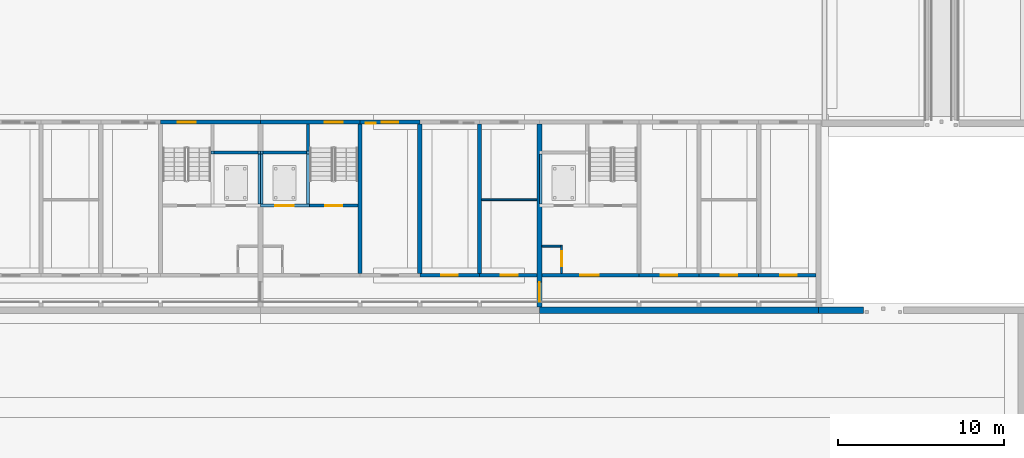
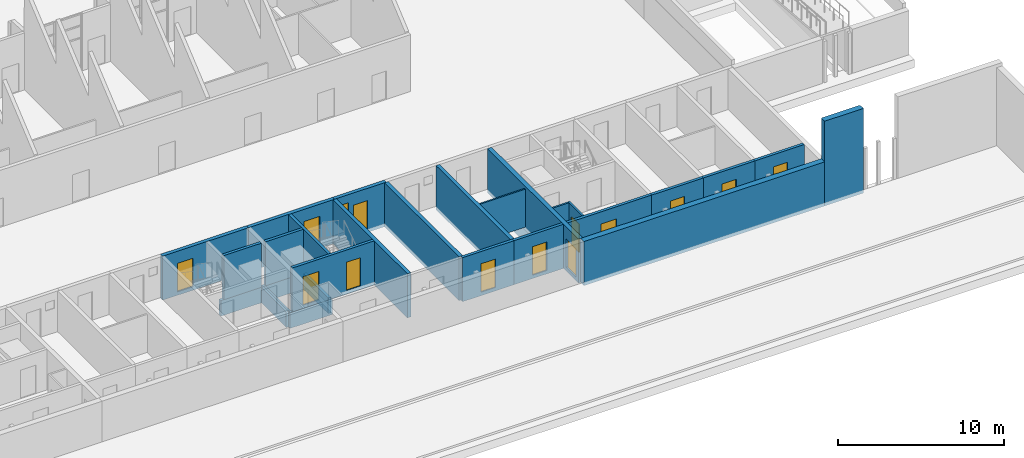
# One storey, part 60 of 112: 29 walls, 13 doors, 1 window, 14 openings.
"""IFC4 building model written with IfcOpenShell, lengths in metres."""

import ifcopenshell
import ifcopenshell.guid

model = None  # the IFC model being written
_history = None  # IfcOwnerHistory: only IFC2X3 demands one
_inside = {}  # id of a spatial element -> (the spatial element, [elements in it])
_under = {}  # id of a project, library or spatial element -> (it, [spatial elements below it])
_declared = {}  # id of a project -> (the project, [libraries it declares])
_typed = {}  # id of a type object -> (the type object, [elements of that type])
_made_of = {}  # id of a material, layer set ... -> (it, [elements and type objects made of it])


def new_model(schema):
    """Start an empty IFC model of exactly this schema.

    Asked for "IFC4X3", IfcOpenShell would pick the latest addendum, in which some entities
    have other attributes; the version numbers below select the first issue.
    IFC2X3 requires an IfcOwnerHistory on every rooted entity: one is made here for all.
    """
    global model, _history
    if schema == "IFC4X3":
        model = ifcopenshell.file(schema_version=(4, 3, 0, 0))
    else:
        model = ifcopenshell.file(schema=schema)
    _inside.clear()
    _under.clear()
    _declared.clear()
    _typed.clear()
    _made_of.clear()
    _history = None
    if model.schema == "IFC2X3":
        org = make("IfcOrganization", Name="unknown")
        user = make(
            "IfcPersonAndOrganization",
            ThePerson=make("IfcPerson", FamilyName="unknown"),
            TheOrganization=org,
        )
        app = make(
            "IfcApplication",
            ApplicationDeveloper=org,
            Version="unknown",
            ApplicationFullName="unknown",
            ApplicationIdentifier="unknown",
        )
        _history = make(
            "IfcOwnerHistory",
            OwningUser=user,
            OwningApplication=app,
            ChangeAction="ADDED",
            CreationDate=0,
        )
    return model


def make(cls, **values):
    """One entity of the class cls with the attributes given. An attribute that is None is left unset."""
    return model.create_entity(
        cls, **{name: value for name, value in values.items() if value is not None}
    )


def rooted(cls, **values):
    """An entity with a GlobalId (a new one), such as an element, a storey or a relation."""
    return make(cls, GlobalId=ifcopenshell.guid.new(), OwnerHistory=_history, **values)


def si_unit(unit_type, name, prefix=None):
    """IfcSIUnit, for example si_unit("LENGTHUNIT", "METRE", prefix="MILLI")."""
    return make("IfcSIUnit", UnitType=unit_type, Prefix=prefix, Name=name)


def assignment(units):
    """IfcUnitAssignment: the units of a project."""
    return None if units is None else make("IfcUnitAssignment", Units=units)


def point(xyz):
    """IfcCartesianPoint."""
    return None if xyz is None else make("IfcCartesianPoint", Coordinates=xyz)


def direction(xyz):
    """IfcDirection."""
    return None if xyz is None else make("IfcDirection", DirectionRatios=xyz)


def frame(location, z_axis=None, x_axis=None):
    """IfcAxis2Placement3D, a coordinate frame: its origin and axes. An axis left out is left unset."""
    return make(
        "IfcAxis2Placement3D",
        Location=point(location),
        Axis=direction(z_axis),
        RefDirection=direction(x_axis),
    )


def frame_2d(location, x_axis=None):
    """IfcAxis2Placement2D, a coordinate frame in the plane: its origin and x axis."""
    return make(
        "IfcAxis2Placement2D", Location=point(location), RefDirection=direction(x_axis)
    )


def origin():
    """The frame at (0, 0, 0) with its axes left unset."""
    return frame((0.0, 0.0, 0.0))


def place(relative_to, where):
    """IfcLocalPlacement: puts the frame where relative to a parent placement (None: the world)."""
    return make(
        "IfcLocalPlacement", PlacementRelTo=relative_to, RelativePlacement=where
    )


def context(
    kind, dimensions, precision=None, world=None, true_north=None, identifier=None
):
    """IfcGeometricRepresentationContext, for example the 3D "Model" context."""
    return make(
        "IfcGeometricRepresentationContext",
        ContextIdentifier=identifier,
        ContextType=kind,
        CoordinateSpaceDimension=dimensions,
        Precision=precision,
        WorldCoordinateSystem=world,
        TrueNorth=true_north,
    )


def subcontext(parent, identifier, kind, view, scale=None):
    """IfcGeometricRepresentationSubContext, for example "Body" below "Model"."""
    return make(
        "IfcGeometricRepresentationSubContext",
        ContextIdentifier=identifier,
        ContextType=kind,
        ParentContext=parent,
        TargetScale=scale,
        TargetView=view,
    )


def project(units=None, contexts=None):
    """IfcProject with its units and contexts."""
    return rooted(
        "IfcProject",
        Name="project",
        RepresentationContexts=contexts,
        UnitsInContext=assignment(units),
    )


def spatial(cls, under=None, at=None, **own):
    """A site, building, storey or space (cls), placed at a placement, below another one or the project."""
    s = rooted(cls, ObjectPlacement=at, **own)
    if under is not None:
        _under.setdefault(under.id(), (under, []))[1].append(s)
    return s


def profile(cls, at=None, kind="AREA", **sizes):
    """A parametric profile (cls). Its sizes go by their IFC names, for example OverallWidth=200.0."""
    return make(cls, ProfileType=kind, Position=at, **sizes)


def rectangle(**sizes):
    """IfcRectangleProfileDef."""
    return profile("IfcRectangleProfileDef", **sizes)


def extrude(swept, where, along, depth):
    """IfcExtrudedAreaSolid: the profile swept, set in the frame where, extruded along a direction by depth."""
    return make(
        "IfcExtrudedAreaSolid",
        SweptArea=swept,
        Position=where,
        ExtrudedDirection=direction(along),
        Depth=depth,
    )


def shape(context_of_items, identifier, shape_type, items):
    """IfcShapeRepresentation: the items that make up one representation, for example the "Body"."""
    return make(
        "IfcShapeRepresentation",
        ContextOfItems=context_of_items,
        RepresentationIdentifier=identifier,
        RepresentationType=shape_type,
        Items=items,
    )


def material(Name=None, Category=None):
    """IfcMaterial."""
    return make("IfcMaterial", Name=Name, Category=Category)


def layer(
    of_material, thickness, ventilated=None, Name=None, Category=None, Priority=None
):
    """IfcMaterialLayer: one layer of a wall or slab, of a material (None: an air gap)."""
    return make(
        "IfcMaterialLayer",
        Material=of_material,
        LayerThickness=thickness,
        IsVentilated=ventilated,
        Name=Name,
        Category=Category,
        Priority=Priority,
    )


def layer_set(layers, Name=None):
    """IfcMaterialLayerSet."""
    return make("IfcMaterialLayerSet", MaterialLayers=layers, LayerSetName=Name)


def made_of(thing, what):
    """Note that an element or type object is made of a material, layer set ...; save() writes the relation."""
    if what is not None:
        _made_of.setdefault(what.id(), (what, []))[1].append(thing)
    return thing


def type_object(cls, material=None, **own):
    """A type object (cls), such as IfcWallType, which elements share."""
    return made_of(rooted(cls, **own), material)


def element(
    cls,
    number,
    at=None,
    inside=None,
    cuts=None,
    type_object=None,
    material=None,
    context=None,
    identifier="Body",
    shape_type=None,
    held_by="IfcProductDefinitionShape",
    body=None,
    shapes=None,
    **own,
):
    """One element of the class cls, such as IfcWall. Its Tag is "e" and its number.

    at: its placement. inside: the storey or other place that contains it. cuts: it is an
    opening in that element (IfcRelVoidsElement). A single representation is given by context,
    identifier, shape_type and body (its items); several are given by shapes. held_by: the class
    of the entity that holds the representations. save() writes the other relations.
    """
    e = rooted(cls, Tag="e%d" % number, ObjectPlacement=at, **own)
    if body is not None:
        shapes = [shape(context, identifier, shape_type, body)]
    if shapes is not None:
        e.Representation = make(held_by, Representations=shapes)
    if inside is not None:
        _inside.setdefault(inside.id(), (inside, []))[1].append(e)
    if cuts is not None:
        rooted(
            "IfcRelVoidsElement", RelatingBuildingElement=cuts, RelatedOpeningElement=e
        )
    if type_object is not None:
        _typed.setdefault(type_object.id(), (type_object, []))[1].append(e)
    return made_of(e, material)


def fill(opening, filler):
    """IfcRelFillsElement: the door or window that sits in an opening."""
    return rooted(
        "IfcRelFillsElement",
        RelatingOpeningElement=opening,
        RelatedBuildingElement=filler,
    )


def aggregate(whole, parts):
    """IfcRelAggregates: a whole, such as a stair, and the parts it consists of."""
    return rooted("IfcRelAggregates", RelatingObject=whole, RelatedObjects=parts)


def save(model, path):
    """Write the relations noted so far, then the file.

    IfcRelAggregates (storeys below a building ...), IfcRelContainedInSpatialStructure (elements
    in a storey), IfcRelDefinesByType, IfcRelAssociatesMaterial and IfcRelDeclares: one each for
    every whole, place, type object, material and project.
    """
    for whole, parts in _under.values():
        aggregate(whole, parts)
    for where, things in _inside.values():
        rooted(
            "IfcRelContainedInSpatialStructure",
            RelatedElements=things,
            RelatingStructure=where,
        )
    for kind, things in _typed.values():
        rooted("IfcRelDefinesByType", RelatedObjects=things, RelatingType=kind)
    for what, things in _made_of.values():
        rooted("IfcRelAssociatesMaterial", RelatedObjects=things, RelatingMaterial=what)
    for by, libraries in _declared.values():
        rooted("IfcRelDeclares", RelatingContext=by, RelatedDefinitions=libraries)
    model.write(path)


model = new_model("IFC4")

# Units and contexts
model_context = context("Model", 3, precision=1e-05, world=origin(), true_north=direction((0.0, 1.0)))
body_context = subcontext(model_context, "Body", "Model", "MODEL_VIEW")
ifc_project = project(units=[si_unit("LENGTHUNIT", "METRE"), si_unit("AREAUNIT", "SQUARE_METRE"), si_unit("VOLUMEUNIT", "CUBIC_METRE"), si_unit("PLANEANGLEUNIT", "RADIAN"), si_unit("MASSUNIT", "GRAM", prefix="KILO")], contexts=[model_context])

# Site, building, storey
site_placement = place(None, origin())
site = spatial("IfcSite", under=ifc_project, at=site_placement, CompositionType="ELEMENT")
building_placement = place(site_placement, origin())
building = spatial("IfcBuilding", under=site, at=building_placement, Name="Ridgestep Commons", CompositionType="ELEMENT")
storey_placement = place(building_placement, origin())
storey = spatial("IfcBuildingStorey", under=building, at=storey_placement, Name="L00", CompositionType="ELEMENT", Elevation=0.0)

# Walls
ifc_material_1 = material(Name="Concrete C30/37", Category="concrete")
ifc_layer_1 = layer(ifc_material_1, 0.39990234375)
ifc_layer_set_1 = layer_set([ifc_layer_1], Name="Community retaining wall 400")
wall_type_1 = type_object("IfcWallType", Name="Community retaining wall 400", PredefinedType="SOLIDWALL", material=ifc_layer_set_1)
wall_1_placement = place(storey_placement, frame((247.60009765625, 11.550048828125, -0.25), z_axis=(0.0, 0.0, 1.0), x_axis=(1.0, 0.0, 0.0)))
element("IfcWall", 1, at=wall_1_placement, inside=storey, type_object=wall_type_1, Name="Community retaining wall 400", PredefinedType="SOLIDWALL", context=body_context, shape_type="SweptSolid", body=[
    extrude(rectangle(XDim=2.699951171875, YDim=0.39990234375, at=frame_2d((1.35009765625, 0.0))), origin(), (0.0, 0.0, 1.0), 6.25),
])
ifc_material_2 = material(Name="Concrete C30/37", Category="concrete")
ifc_layer_2 = layer(ifc_material_2, 0.25)
ifc_layer_set_2 = layer_set([ifc_layer_2], Name="Core cross wall 250")
wall_type_2 = type_object("IfcWallType", Name="Core cross wall 250", PredefinedType="SHEAR", material=ifc_layer_set_2)
wall_2_placement = place(storey_placement, frame((220.0, 13.75, -0.25), z_axis=(0.0, 0.0, 1.0), x_axis=(0.0, 1.0, 0.0)))
element("IfcWall", 2, at=wall_2_placement, inside=storey, type_object=wall_type_2, Name="Cross wall D-00-2200", PredefinedType="SHEAR", context=body_context, shape_type="SweptSolid", body=[
    extrude(rectangle(XDim=9.0, YDim=0.25, at=frame_2d((4.5, 0.0))), origin(), (0.0, 0.0, 1.0), 3.25),
])

# Wall, opening, door
ifc_material_3 = material(Name="Concrete C30/37", Category="concrete")
ifc_layer_3 = layer(ifc_material_3, 0.199951171875)
ifc_layer_set_3 = layer_set([ifc_layer_3], Name="Core south wall 200")
wall_type_3 = type_object("IfcWallType", Name="Core south wall 200", PredefinedType="SHEAR", material=ifc_layer_set_3)
wall_3_placement = place(storey_placement, frame((230.949951171875, 13.64990234375, -0.25), z_axis=(0.0, 0.0, 1.0), x_axis=(1.0, 0.0, 0.0)))
wall_3 = element("IfcWall", 3, at=wall_3_placement, inside=storey, type_object=wall_type_3, Name="Core south wall D6C L00", PredefinedType="SHEAR", context=body_context, shape_type="SweptSolid", body=[
    extrude(rectangle(XDim=5.85009765625, YDim=0.199951171875, at=frame_2d((2.925048828125, 0.0))), origin(), (0.0, 0.0, 1.0), 3.25),
])
opening_1_placement = place(wall_3_placement, frame((2.3125, 0.0, 0.25)))
opening_1 = element("IfcOpeningElement", 4, at=opening_1_placement, cuts=wall_3, Name="Opening D6C/00/1", PredefinedType="OPENING", context=body_context, shape_type="SweptSolid", body=[
    extrude(rectangle(XDim=1.10009765625, YDim=2.10009765625, at=frame_2d((0.550048828125, 1.050048828125))), frame((0.0, 0.10986328125, 0.0), z_axis=(0.0, -1.0, 0.0), x_axis=(1.0, 0.0, 0.0)), (0.0, 0.0, 1.0), 0.219970703125),
])
ifc_material_4 = material(Name="Steel fire door", Category="steel")
door_type_1 = type_object("IfcDoorType", Name="Lobby door 1100 x 2100 FD60", OperationType="NOTDEFINED", PredefinedType="DOOR", material=ifc_material_4)
door_1_placement = place(opening_1_placement, origin())
door_1 = element("IfcDoor", 5, at=door_1_placement, inside=storey, type_object=door_type_1, Name="Lobby door D6C/00/1", OperationType="SINGLE_SWING_LEFT", OverallHeight=2.10009765625, OverallWidth=1.10009765625, PredefinedType="DOOR", context=body_context, shape_type="SweptSolid", body=[
    extrude(rectangle(XDim=1.10009765625, YDim=2.10009765625, at=frame_2d((0.550048828125, 1.050048828125))), frame((0.0, 0.02490234375, 0.0), z_axis=(0.0, -1.0, 0.0), x_axis=(1.0, 0.0, 0.0)), (0.0, 0.0, 1.0), 0.050048828125),
])
fill(opening_1, door_1)

ifc_material_5 = material(Name="Concrete C30/37", Category="concrete")
ifc_layer_4 = layer(ifc_material_5, 0.1201171875)
ifc_layer_set_4 = layer_set([ifc_layer_4], Name="Core wall 120")
wall_type_4 = type_object("IfcWallType", Name="Core wall 120", PredefinedType="SHEAR", material=ifc_layer_set_4)
wall_4_placement = place(storey_placement, frame((232.139892578125, 13.75, -0.25), z_axis=(0.0, 0.0, 1.0), x_axis=(0.0, 1.0, 0.0)))
wall_4 = element("IfcWall", 6, at=wall_4_placement, inside=storey, type_object=wall_type_4, Name="Core riser w wall D6C L00", PredefinedType="SHEAR", context=body_context, shape_type="SweptSolid", body=[
    extrude(rectangle(XDim=1.719970703125, YDim=0.1201171875, at=frame_2d((0.85986328125, 0.0))), origin(), (0.0, 0.0, 1.0), 3.25),
])
opening_2_placement = place(wall_4_placement, frame((0.449951171875, 0.0, 0.25)))
opening_2 = element("IfcOpeningElement", 7, at=opening_2_placement, cuts=wall_4, Name="Opening D6C/00/4", PredefinedType="OPENING", context=body_context, shape_type="SweptSolid", body=[
    extrude(rectangle(XDim=0.89990234375, YDim=2.10009765625, at=frame_2d((0.449951171875, 1.050048828125))), frame((0.0, 0.070068359375, 0.0), z_axis=(0.0, -1.0, 0.0), x_axis=(1.0, 0.0, 0.0)), (0.0, 0.0, 1.0), 0.14013671875),
])
ifc_material_6 = material(Name="Steel fire door", Category="steel")
door_type_2 = type_object("IfcDoorType", Name="Riser door 900 x 2100 FD60", OperationType="NOTDEFINED", PredefinedType="DOOR", material=ifc_material_6)
door_2_placement = place(opening_2_placement, origin())
door_2 = element("IfcDoor", 8, at=door_2_placement, inside=storey, type_object=door_type_2, Name="Riser door D6C/00/4", OperationType="SINGLE_SWING_RIGHT", OverallHeight=2.10009765625, OverallWidth=0.89990234375, PredefinedType="DOOR", context=body_context, shape_type="SweptSolid", body=[
    extrude(rectangle(XDim=0.89990234375, YDim=2.10009765625, at=frame_2d((0.449951171875, 1.050048828125))), frame((0.0, 0.02490234375, 0.0), z_axis=(0.0, -1.0, 0.0), x_axis=(1.0, 0.0, 0.0)), (0.0, 0.0, 1.0), 0.050048828125),
])
fill(opening_2, door_2)

# Walls
wall_5_placement = place(storey_placement, frame((230.949951171875, 15.409912109375, -0.25), z_axis=(0.0, 0.0, 1.0), x_axis=(1.0, 0.0, 0.0)))
element("IfcWall", 9, at=wall_5_placement, inside=storey, type_object=wall_type_4, Name="Core riser n wall D6C L00", PredefinedType="SHEAR", context=body_context, shape_type="SweptSolid", body=[
    extrude(rectangle(XDim=1.130126953125, YDim=0.1201171875, at=frame_2d((0.56494140625, 0.0))), origin(), (0.0, 0.0, 1.0), 3.25),
])
ifc_material_7 = material(Name="Concrete C30/37", Category="concrete")
ifc_layer_5 = layer(ifc_material_7, 0.14990234375)
ifc_layer_set_5 = layer_set([ifc_layer_5], Name="Core wall 150")
wall_type_5 = type_object("IfcWallType", Name="Core wall 150", PredefinedType="SHEAR", material=ifc_layer_set_5)
for number, where, z_axis, x_axis, name in (
    (10, (213.925048828125, 17.949951171875, -1.39990234375), (0.0, 0.0, 1.0), (0.0, 1.0, 0.0), "Lift pit wall D4C"),
    (11, (214.074951171875, 17.949951171875, -1.39990234375), (0.0, 0.0, 1.0), (0.0, 1.0, 0.0), "Lift pit wall D5C"),
    (12, (230.875, 17.949951171875, -1.39990234375), (0.0, 0.0, 1.0), (0.0, 1.0, 0.0), "Lift pit wall D6C"),
):
    element("IfcWall", number, at=place(storey_placement, frame(where, z_axis=z_axis, x_axis=x_axis)), inside=storey, type_object=wall_type_5, Name=name, PredefinedType="SHEAR", context=body_context, shape_type="SweptSolid", body=[
        extrude(rectangle(XDim=3.0, YDim=0.14990234375, at=frame_2d((1.5, 0.0))), origin(), (0.0, 0.0, 1.0), 1.14990234375),
    ])
ifc_material_8 = material(Name="Concrete C30/37", Category="concrete")
ifc_layer_6 = layer(ifc_material_8, 0.199951171875)
ifc_layer_set_6 = layer_set([ifc_layer_6], Name="Core wall 200")
wall_type_6 = type_object("IfcWallType", Name="Core wall 200", PredefinedType="SHEAR", material=ifc_layer_set_6)
wall_6_placement = place(storey_placement, frame((211.22509765625, 21.050048828125, -0.25), z_axis=(0.0, 0.0, 1.0), x_axis=(1.0, 0.0, 0.0)))
element("IfcWall", 13, at=wall_6_placement, inside=storey, type_object=wall_type_6, Name="Core duct wall D4C L00", PredefinedType="SHEAR", context=body_context, shape_type="SweptSolid", body=[
    extrude(rectangle(XDim=2.625, YDim=0.199951171875, at=frame_2d((1.3125, 0.0))), origin(), (0.0, 0.0, 1.0), 3.25),
])

# Wall, openings, doors
wall_7_placement = place(storey_placement, frame((214.14990234375, 17.85009765625, -0.25), z_axis=(0.0, 0.0, 1.0), x_axis=(1.0, 0.0, 0.0)))
wall_7 = element("IfcWall", 14, at=wall_7_placement, inside=storey, type_object=wall_type_6, Name="Core lobby wall D5C L00", PredefinedType="SHEAR", context=body_context, shape_type="SweptSolid", body=[
    extrude(rectangle(XDim=5.72509765625, YDim=0.199951171875, at=frame_2d((2.862548828125, 0.0))), origin(), (0.0, 0.0, 1.0), 3.25),
])
opening_3_placement = place(wall_7_placement, frame((3.77490234375, 0.0, 0.25)))
opening_3 = element("IfcOpeningElement", 15, at=opening_3_placement, cuts=wall_7, Name="Opening D5C/00/2", PredefinedType="OPENING", context=body_context, shape_type="SweptSolid", body=[
    extrude(rectangle(XDim=1.0, YDim=2.10009765625, at=frame_2d((0.5, 1.050048828125))), frame((0.0, 0.10986328125, 0.0), z_axis=(0.0, -1.0, 0.0), x_axis=(1.0, 0.0, 0.0)), (0.0, 0.0, 1.0), 0.219970703125),
])
opening_4_placement = place(wall_7_placement, frame((0.762451171875, 0.0, 0.25)))
opening_4 = element("IfcOpeningElement", 16, at=opening_4_placement, cuts=wall_7, Name="Opening D5C/00/3", PredefinedType="OPENING", context=body_context, shape_type="SweptSolid", body=[
    extrude(rectangle(XDim=1.10009765625, YDim=2.10009765625, at=frame_2d((0.550048828125, 1.050048828125))), frame((0.0, 0.10986328125, 0.0), z_axis=(0.0, -1.0, 0.0), x_axis=(1.0, 0.0, 0.0)), (0.0, 0.0, 1.0), 0.219970703125),
])
ifc_material_9 = material(Name="Stainless steel", Category="steel")
door_type_3 = type_object("IfcDoorType", Name="Lift landing door 1100 x 2100 FD60", OperationType="DOUBLE_DOOR_SLIDING", PredefinedType="DOOR", material=ifc_material_9)
door_3_placement = place(opening_4_placement, origin())
door_3 = element("IfcDoor", 17, at=door_3_placement, inside=storey, type_object=door_type_3, Name="Landing door LD D5C L00", OperationType="DOUBLE_DOOR_SLIDING", OverallHeight=2.10009765625, OverallWidth=1.10009765625, PredefinedType="DOOR", context=body_context, shape_type="SweptSolid", body=[
    extrude(rectangle(XDim=1.10009765625, YDim=2.10009765625, at=frame_2d((0.550048828125, 1.050048828125))), frame((0.0, 0.02490234375, 0.0), z_axis=(0.0, -1.0, 0.0), x_axis=(1.0, 0.0, 0.0)), (0.0, 0.0, 1.0), 0.050048828125),
])
fill(opening_4, door_3)
ifc_material_10 = material(Name="Steel fire door", Category="steel")
door_type_4 = type_object("IfcDoorType", Name="Stair door 1000 x 2100 FD60", OperationType="NOTDEFINED", PredefinedType="DOOR", material=ifc_material_10)
door_4_placement = place(opening_3_placement, origin())
door_4 = element("IfcDoor", 18, at=door_4_placement, inside=storey, type_object=door_type_4, Name="Stair door D5C/00/2", OperationType="SINGLE_SWING_RIGHT", OverallHeight=2.10009765625, OverallWidth=1.0, PredefinedType="DOOR", context=body_context, shape_type="SweptSolid", body=[
    extrude(rectangle(XDim=1.0, YDim=2.10009765625, at=frame_2d((0.5, 1.050048828125))), frame((0.0, 0.02490234375, 0.0), z_axis=(0.0, -1.0, 0.0), x_axis=(1.0, 0.0, 0.0)), (0.0, 0.0, 1.0), 0.050048828125),
])
fill(opening_3, door_4)

# Walls
wall_8_placement = place(storey_placement, frame((216.875, 17.949951171875, -0.25), z_axis=(0.0, 0.0, 1.0), x_axis=(0.0, 1.0, 0.0)))
element("IfcWall", 19, at=wall_8_placement, inside=storey, type_object=wall_type_6, Name="Core stair wall D5C L00", PredefinedType="SHEAR", context=body_context, shape_type="SweptSolid", body=[
    extrude(rectangle(XDim=4.800048828125, YDim=0.199951171875, at=frame_2d((2.39990234375, 0.0))), origin(), (0.0, 0.0, 1.0), 3.25),
])
wall_9_placement = place(storey_placement, frame((214.14990234375, 21.050048828125, -0.25), z_axis=(0.0, 0.0, 1.0), x_axis=(1.0, 0.0, 0.0)))
element("IfcWall", 20, at=wall_9_placement, inside=storey, type_object=wall_type_6, Name="Core duct wall D5C L00", PredefinedType="SHEAR", context=body_context, shape_type="SweptSolid", body=[
    extrude(rectangle(XDim=2.625, YDim=0.199951171875, at=frame_2d((1.3125, 0.0))), origin(), (0.0, 0.0, 1.0), 3.25),
])
for number, where, z_axis, x_axis, name in (
    (21, (211.02490234375, 21.050048828125, -1.39990234375), (0.0, 0.0, 1.0), (1.0, 0.0, 0.0), "Lift pit wall D4C"),
    (22, (214.0, 17.85009765625, -1.39990234375), (0.0, 0.0, 1.0), (1.0, 0.0, 0.0), "Lift pit wall D5C"),
    (23, (214.0, 21.050048828125, -1.39990234375), (0.0, 0.0, 1.0), (1.0, 0.0, 0.0), "Lift pit wall D5C"),
):
    element("IfcWall", number, at=place(storey_placement, frame(where, z_axis=z_axis, x_axis=x_axis)), inside=storey, type_object=wall_type_6, Name=name, PredefinedType="SHEAR", context=body_context, shape_type="SweptSolid", body=[
        extrude(rectangle(XDim=2.97509765625, YDim=0.199951171875, at=frame_2d((1.487548828125, 0.0))), origin(), (0.0, 0.0, 1.0), 1.14990234375),
    ])
wall_10_placement = place(storey_placement, frame((216.875, 17.949951171875, -1.39990234375), z_axis=(0.0, 0.0, 1.0), x_axis=(0.0, 1.0, 0.0)))
element("IfcWall", 24, at=wall_10_placement, inside=storey, type_object=wall_type_6, Name="Lift pit wall D5C", PredefinedType="SHEAR", context=body_context, shape_type="SweptSolid", body=[
    extrude(rectangle(XDim=3.0, YDim=0.199951171875, at=frame_2d((1.5, 0.0))), origin(), (0.0, 0.0, 1.0), 1.14990234375),
])
ifc_material_11 = material(Name="Precast concrete C40/50", Category="concrete")
ifc_layer_7 = layer(ifc_material_11, 0.25)
ifc_layer_set_7 = layer_set([ifc_layer_7], Name="Cross wall 250")
wall_type_7 = type_object("IfcWallType", Name="Cross wall 250", PredefinedType="SHEAR", material=ifc_layer_set_7)
for number, where, z_axis, x_axis, name in (
    (25, (223.60009765625, 13.75, -0.25), (0.0, 0.0, 1.0), (0.0, 1.0, 0.0), "Cross wall D-00-2236"),
    (26, (227.199951171875, 13.75, -0.25), (0.0, 0.0, 1.0), (0.0, 1.0, 0.0), "Cross wall D-00-2272"),
):
    element("IfcWall", number, at=place(storey_placement, frame(where, z_axis=z_axis, x_axis=x_axis)), inside=storey, type_object=wall_type_7, Name=name, PredefinedType="SHEAR", context=body_context, shape_type="SweptSolid", body=[
        extrude(rectangle(XDim=9.0, YDim=0.25, at=frame_2d((4.5, 0.0))), origin(), (0.0, 0.0, 1.0), 3.25),
    ])

# Wall, opening, door
ifc_material_12 = material(Name="Precast concrete C40/50", Category="concrete")
ifc_layer_8 = layer(ifc_material_12, 0.300048828125)
ifc_layer_set_8 = layer_set([ifc_layer_8], Name="Division wall 300")
wall_type_8 = type_object("IfcWallType", Name="Division wall 300", PredefinedType="SHEAR", material=ifc_layer_set_8)
wall_11_placement = place(storey_placement, frame((230.800048828125, 11.75, -0.25), z_axis=(0.0, 0.0, 1.0), x_axis=(0.0, 1.0, 0.0)))
wall_11 = element("IfcWall", 27, at=wall_11_placement, inside=storey, type_object=wall_type_8, Name="Cross wall D-00-2308", PredefinedType="SHEAR", context=body_context, shape_type="SweptSolid", body=[
    extrude(rectangle(XDim=11.0, YDim=0.300048828125, at=frame_2d((5.5, 0.0))), origin(), (0.0, 0.0, 1.0), 3.25),
])
opening_5_placement = place(wall_11_placement, frame((0.300048828125, 0.0, 0.25)))
opening_5 = element("IfcOpeningElement", 28, at=opening_5_placement, cuts=wall_11, Name="Opening D/00/G2308", PredefinedType="OPENING", context=body_context, shape_type="SweptSolid", body=[
    extrude(rectangle(XDim=1.199951171875, YDim=2.10009765625, at=frame_2d((0.60009765625, 1.050048828125))), frame((0.0, 0.159912109375, 0.0), z_axis=(0.0, -1.0, 0.0), x_axis=(1.0, 0.0, 0.0)), (0.0, 0.0, 1.0), 0.320068359375),
])
ifc_material_13 = material(Name="Steel fire door", Category="steel")
door_type_5 = type_object("IfcDoorType", Name="Division fire door 1200 x 2100 EI 240", OperationType="DOUBLE_DOOR_SINGLE_SWING", PredefinedType="DOOR", material=ifc_material_13)
door_5_placement = place(opening_5_placement, origin())
door_5 = element("IfcDoor", 29, at=door_5_placement, inside=storey, type_object=door_type_5, Name="Division fire door D/00/G2308", OperationType="DOUBLE_DOOR_SINGLE_SWING", OverallHeight=2.10009765625, OverallWidth=1.199951171875, PredefinedType="DOOR", context=body_context, shape_type="SweptSolid", body=[
    extrude(rectangle(XDim=1.199951171875, YDim=2.10009765625, at=frame_2d((0.60009765625, 1.050048828125))), frame((0.0, 0.02490234375, 0.0), z_axis=(0.0, -1.0, 0.0), x_axis=(1.0, 0.0, 0.0)), (0.0, 0.0, 1.0), 0.050048828125),
])
fill(opening_5, door_5)

ifc_material_14 = material(Name="Precast concrete C40/50", Category="concrete")
ifc_layer_9 = layer(ifc_material_14, 0.25)
ifc_layer_set_9 = layer_set([ifc_layer_9], Name="North facade panel 250")
wall_type_9 = type_object("IfcWallType", Name="North facade panel 250", PredefinedType="SOLIDWALL", material=ifc_layer_set_9)
wall_12_placement = place(storey_placement, frame((208.0, 22.875, -0.25), z_axis=(0.0, 0.0, 1.0), x_axis=(1.0, 0.0, 0.0)))
wall_12 = element("IfcWall", 30, at=wall_12_placement, inside=storey, type_object=wall_type_9, Name="North panel D4C L00", PredefinedType="SOLIDWALL", context=body_context, shape_type="SweptSolid", body=[
    extrude(rectangle(XDim=6.0, YDim=0.25, at=frame_2d((3.0, 0.0))), origin(), (0.0, 0.0, 1.0), 3.25),
])
opening_6_placement = place(wall_12_placement, frame((1.02490234375, 0.0, 0.25)))
opening_6 = element("IfcOpeningElement", 31, at=opening_6_placement, cuts=wall_12, Name="Opening D4C/00/5", PredefinedType="OPENING", context=body_context, shape_type="SweptSolid", body=[
    extrude(rectangle(XDim=1.10009765625, YDim=2.10009765625, at=frame_2d((0.550048828125, 1.050048828125))), frame((0.0, 0.135009765625, 0.0), z_axis=(0.0, -1.0, 0.0), x_axis=(1.0, 0.0, 0.0)), (0.0, 0.0, 1.0), 0.27001953125),
])
ifc_material_15 = material(Name="Steel fire door", Category="steel")
door_type_6 = type_object("IfcDoorType", Name="Stair exit door 1100 x 2100 FD60", OperationType="NOTDEFINED", PredefinedType="DOOR", material=ifc_material_15)
door_6_placement = place(opening_6_placement, origin())
door_6 = element("IfcDoor", 32, at=door_6_placement, inside=storey, type_object=door_type_6, Name="Stair exit door D4C/00/5", OperationType="SINGLE_SWING_LEFT", OverallHeight=2.10009765625, OverallWidth=1.10009765625, PredefinedType="DOOR", context=body_context, shape_type="SweptSolid", body=[
    extrude(rectangle(XDim=1.10009765625, YDim=2.10009765625, at=frame_2d((0.550048828125, 1.050048828125))), frame((0.0, 0.02490234375, 0.0), z_axis=(0.0, -1.0, 0.0), x_axis=(1.0, 0.0, 0.0)), (0.0, 0.0, 1.0), 0.050048828125),
])
fill(opening_6, door_6)

wall_13_placement = place(storey_placement, frame((214.0, 22.875, -0.25), z_axis=(0.0, 0.0, 1.0), x_axis=(1.0, 0.0, 0.0)))
wall_13 = element("IfcWall", 33, at=wall_13_placement, inside=storey, type_object=wall_type_9, Name="North panel D5C L00", PredefinedType="SOLIDWALL", context=body_context, shape_type="SweptSolid", body=[
    extrude(rectangle(XDim=6.0, YDim=0.25, at=frame_2d((3.0, 0.0))), origin(), (0.0, 0.0, 1.0), 3.25),
])
opening_7_placement = place(wall_13_placement, frame((3.875, 0.0, 0.25)))
opening_7 = element("IfcOpeningElement", 34, at=opening_7_placement, cuts=wall_13, Name="Opening D5C/00/5", PredefinedType="OPENING", context=body_context, shape_type="SweptSolid", body=[
    extrude(rectangle(XDim=1.10009765625, YDim=2.10009765625, at=frame_2d((0.550048828125, 1.050048828125))), frame((0.0, 0.135009765625, 0.0), z_axis=(0.0, -1.0, 0.0), x_axis=(1.0, 0.0, 0.0)), (0.0, 0.0, 1.0), 0.27001953125),
])
door_7_placement = place(opening_7_placement, origin())
door_7 = element("IfcDoor", 35, at=door_7_placement, inside=storey, type_object=door_type_6, Name="Stair exit door D5C/00/5", OperationType="SINGLE_SWING_LEFT", OverallHeight=2.10009765625, OverallWidth=1.10009765625, PredefinedType="DOOR", context=body_context, shape_type="SweptSolid", body=[
    extrude(rectangle(XDim=1.10009765625, YDim=2.10009765625, at=frame_2d((0.550048828125, 1.050048828125))), frame((0.0, 0.02490234375, 0.0), z_axis=(0.0, -1.0, 0.0), x_axis=(1.0, 0.0, 0.0)), (0.0, 0.0, 1.0), 0.050048828125),
])
fill(opening_7, door_7)

# Wall, openings, door, window
wall_14_placement = place(storey_placement, frame((220.0, 22.875, -0.25), z_axis=(0.0, 0.0, 1.0), x_axis=(1.0, 0.0, 0.0)))
wall_14 = element("IfcWall", 36, at=wall_14_placement, inside=storey, type_object=wall_type_9, Name="North panel D5T3 L00", PredefinedType="SOLIDWALL", context=body_context, shape_type="SweptSolid", body=[
    extrude(rectangle(XDim=3.60009765625, YDim=0.25, at=frame_2d((1.800048828125, 0.0))), origin(), (0.0, 0.0, 1.0), 3.25),
])
opening_8_placement = place(wall_14_placement, frame((0.362548828125, 0.0, 2.050048828125)))
opening_8 = element("IfcOpeningElement", 37, at=opening_8_placement, cuts=wall_14, Name="Opening W01", PredefinedType="OPENING", context=body_context, shape_type="SweptSolid", body=[
    extrude(rectangle(XDim=0.60009765625, YDim=0.60009765625, at=frame_2d((0.300048828125, 0.300048828125))), frame((0.0, 0.135009765625, 0.0), z_axis=(0.0, -1.0, 0.0), x_axis=(1.0, 0.0, 0.0)), (0.0, 0.0, 1.0), 0.27001953125),
])
opening_9_placement = place(wall_14_placement, frame((1.300048828125, 0.0, 0.25)))
opening_9 = element("IfcOpeningElement", 38, at=opening_9_placement, cuts=wall_14, Name="Opening D5-00p/2", PredefinedType="OPENING", context=body_context, shape_type="SweptSolid", body=[
    extrude(rectangle(XDim=1.0, YDim=2.10009765625, at=frame_2d((0.5, 1.050048828125))), frame((0.0, 0.135009765625, 0.0), z_axis=(0.0, -1.0, 0.0), x_axis=(1.0, 0.0, 0.0)), (0.0, 0.0, 1.0), 0.27001953125),
])
ifc_material_16 = material(Name="Steel door leaf", Category="steel")
door_type_7 = type_object("IfcDoorType", Name="Exterior door 1000 x 2100", OperationType="NOTDEFINED", PredefinedType="DOOR", material=ifc_material_16)
door_8_placement = place(opening_9_placement, origin())
door_8 = element("IfcDoor", 39, at=door_8_placement, inside=storey, type_object=door_type_7, Name="Exterior door D5-00p/2", OperationType="SINGLE_SWING_LEFT", OverallHeight=2.10009765625, OverallWidth=1.0, PredefinedType="DOOR", context=body_context, shape_type="SweptSolid", body=[
    extrude(rectangle(XDim=1.0, YDim=2.10009765625, at=frame_2d((0.5, 1.050048828125))), frame((0.0, 0.02490234375, 0.0), z_axis=(0.0, -1.0, 0.0), x_axis=(1.0, 0.0, 0.0)), (0.0, 0.0, 1.0), 0.050048828125),
])
fill(opening_9, door_8)
ifc_material_17 = material(Name="Aluminium 6063-T6 and glass", Category="aluminium")
window_type = type_object("IfcWindowType", Name="Flat window 600 x 600", PartitioningType="SINGLE_PANEL", PredefinedType="WINDOW", material=ifc_material_17)
window_placement = place(opening_8_placement, origin())
window = element("IfcWindow", 40, at=window_placement, inside=storey, type_object=window_type, Name="Window D5-00p 2", OverallHeight=0.60009765625, OverallWidth=0.60009765625, PartitioningType="SINGLE_PANEL", PredefinedType="WINDOW", context=body_context, shape_type="SweptSolid", body=[
    extrude(rectangle(XDim=0.60009765625, YDim=0.60009765625, at=frame_2d((0.300048828125, 0.300048828125))), frame((0.0, -0.02490234375, 0.0), z_axis=(0.0, -1.0, 0.0), x_axis=(1.0, 0.0, 0.0)), (0.0, 0.0, 1.0), 0.06005859375),
])
fill(opening_8, window)

# Walls
ifc_material_18 = material(Name="Common brick 110 mm", Category="masonry")
ifc_layer_10 = layer(ifc_material_18, 0.110107421875)
ifc_layer_set_10 = layer_set([ifc_layer_10], Name="Partition 110")
wall_type_10 = type_object("IfcWallType", Name="Partition 110", PredefinedType="PARTITIONING", material=ifc_layer_set_10)
wall_15_placement = place(storey_placement, frame((227.324951171875, 18.205078125, 0.0), z_axis=(0.0, 0.0, 1.0), x_axis=(1.0, 0.0, 0.0)))
element("IfcWall", 41, at=wall_15_placement, inside=storey, type_object=wall_type_10, Name="Partition D5-00p", PredefinedType="PARTITIONING", context=body_context, shape_type="SweptSolid", body=[
    extrude(rectangle(XDim=3.324951171875, YDim=0.110107421875, at=frame_2d((1.66259765625, 0.0))), origin(), (0.0, 0.0, 1.0), 2.800048828125),
])
ifc_material_19 = material(Name="Concrete C30/37", Category="concrete")
ifc_layer_11 = layer(ifc_material_19, 0.39990234375)
ifc_layer_set_11 = layer_set([ifc_layer_11], Name="Plinth retaining wall 400")
wall_type_11 = type_object("IfcWallType", Name="Plinth retaining wall 400", PredefinedType="SOLIDWALL", material=ifc_layer_set_11)
wall_16_placement = place(storey_placement, frame((230.800048828125, 11.550048828125, -0.25), z_axis=(0.0, 0.0, 1.0), x_axis=(1.0, 0.0, 0.0)))
element("IfcWall", 42, at=wall_16_placement, inside=storey, type_object=wall_type_11, Name="Plinth retaining wall D6 L00", PredefinedType="SOLIDWALL", context=body_context, shape_type="SweptSolid", body=[
    extrude(rectangle(XDim=16.800048828125, YDim=0.39990234375, at=frame_2d((8.39990234375, 0.0))), origin(), (0.0, 0.0, 1.0), 3.25),
])

# Wall, opening, door
ifc_material_20 = material(Name="Precast concrete C40/50", Category="concrete")
ifc_layer_12 = layer(ifc_material_20, 0.199951171875)
ifc_layer_set_12 = layer_set([ifc_layer_12], Name="South facade panel 200")
wall_type_12 = type_object("IfcWallType", Name="South facade panel 200", PredefinedType="SOLIDWALL", material=ifc_layer_set_12)
wall_17_placement = place(storey_placement, frame((223.60009765625, 13.64990234375, -0.25), z_axis=(0.0, 0.0, 1.0), x_axis=(1.0, 0.0, 0.0)))
wall_17 = element("IfcWall", 43, at=wall_17_placement, inside=storey, type_object=wall_type_12, Name="South panel D5T2 L00", PredefinedType="SOLIDWALL", context=body_context, shape_type="SweptSolid", body=[
    extrude(rectangle(XDim=3.599853515625, YDim=0.199951171875, at=frame_2d((1.7998046875, 0.0))), origin(), (0.0, 0.0, 1.0), 3.25),
])
opening_10_placement = place(wall_17_placement, frame((1.300048828125, 0.0, 0.25)))
opening_10 = element("IfcOpeningElement", 44, at=opening_10_placement, cuts=wall_17, Name="Opening D5-00p/3", PredefinedType="OPENING", context=body_context, shape_type="SweptSolid", body=[
    extrude(rectangle(XDim=1.0, YDim=2.10009765625, at=frame_2d((0.5, 1.050048828125))), frame((0.0, 0.10986328125, 0.0), z_axis=(0.0, -1.0, 0.0), x_axis=(1.0, 0.0, 0.0)), (0.0, 0.0, 1.0), 0.219970703125),
])
ifc_material_21 = material(Name="Steel door leaf", Category="steel")
door_type_8 = type_object("IfcDoorType", Name="Store door 1000 x 2100", OperationType="NOTDEFINED", PredefinedType="DOOR", material=ifc_material_21)
door_9_placement = place(opening_10_placement, origin())
door_9 = element("IfcDoor", 45, at=door_9_placement, inside=storey, type_object=door_type_8, Name="Store door D5-00p/3", OperationType="SINGLE_SWING_RIGHT", OverallHeight=2.10009765625, OverallWidth=1.0, PredefinedType="DOOR", context=body_context, shape_type="SweptSolid", body=[
    extrude(rectangle(XDim=1.0, YDim=2.10009765625, at=frame_2d((0.5, 1.050048828125))), frame((0.0, 0.02490234375, 0.0), z_axis=(0.0, -1.0, 0.0), x_axis=(1.0, 0.0, 0.0)), (0.0, 0.0, 1.0), 0.050048828125),
])
fill(opening_10, door_9)

wall_18_placement = place(storey_placement, frame((227.199951171875, 13.64990234375, -0.25), z_axis=(0.0, 0.0, 1.0), x_axis=(1.0, 0.0, 0.0)))
wall_18 = element("IfcWall", 46, at=wall_18_placement, inside=storey, type_object=wall_type_12, Name="South panel D5T1 L00", PredefinedType="SOLIDWALL", context=body_context, shape_type="SweptSolid", body=[
    extrude(rectangle(XDim=3.449951171875, YDim=0.199951171875, at=frame_2d((1.72509765625, 0.0))), origin(), (0.0, 0.0, 1.0), 3.25),
])
opening_11_placement = place(wall_18_placement, frame((1.28759765625, 0.0, 0.25)))
opening_11 = element("IfcOpeningElement", 47, at=opening_11_placement, cuts=wall_18, Name="Opening D5-00p/5", PredefinedType="OPENING", context=body_context, shape_type="SweptSolid", body=[
    extrude(rectangle(XDim=1.0, YDim=2.10009765625, at=frame_2d((0.5, 1.050048828125))), frame((0.0, 0.10986328125, 0.0), z_axis=(0.0, -1.0, 0.0), x_axis=(1.0, 0.0, 0.0)), (0.0, 0.0, 1.0), 0.219970703125),
])
door_10_placement = place(opening_11_placement, origin())
door_10 = element("IfcDoor", 48, at=door_10_placement, inside=storey, type_object=door_type_8, Name="Store door D5-00p/5", OperationType="SINGLE_SWING_RIGHT", OverallHeight=2.10009765625, OverallWidth=1.0, PredefinedType="DOOR", context=body_context, shape_type="SweptSolid", body=[
    extrude(rectangle(XDim=1.0, YDim=2.10009765625, at=frame_2d((0.5, 1.050048828125))), frame((0.0, 0.02490234375, 0.0), z_axis=(0.0, -1.0, 0.0), x_axis=(1.0, 0.0, 0.0)), (0.0, 0.0, 1.0), 0.050048828125),
])
fill(opening_11, door_10)

wall_19_placement = place(storey_placement, frame((236.800048828125, 13.64990234375, -0.25), z_axis=(0.0, 0.0, 1.0), x_axis=(1.0, 0.0, 0.0)))
wall_19 = element("IfcWall", 49, at=wall_19_placement, inside=storey, type_object=wall_type_12, Name="South panel D6T3 L00", PredefinedType="SOLIDWALL", context=body_context, shape_type="SweptSolid", body=[
    extrude(rectangle(XDim=3.599853515625, YDim=0.199951171875, at=frame_2d((1.7998046875, 0.0))), origin(), (0.0, 0.0, 1.0), 3.25),
])
opening_12_placement = place(wall_19_placement, frame((1.300048828125, 0.0, 0.25)))
opening_12 = element("IfcOpeningElement", 50, at=opening_12_placement, cuts=wall_19, Name="Opening D6-00p/1", PredefinedType="OPENING", context=body_context, shape_type="SweptSolid", body=[
    extrude(rectangle(XDim=1.0, YDim=2.10009765625, at=frame_2d((0.5, 1.050048828125))), frame((0.0, 0.10986328125, 0.0), z_axis=(0.0, -1.0, 0.0), x_axis=(1.0, 0.0, 0.0)), (0.0, 0.0, 1.0), 0.219970703125),
])
door_11_placement = place(opening_12_placement, origin())
door_11 = element("IfcDoor", 51, at=door_11_placement, inside=storey, type_object=door_type_8, Name="Store door D6-00p/1", OperationType="SINGLE_SWING_RIGHT", OverallHeight=2.10009765625, OverallWidth=1.0, PredefinedType="DOOR", context=body_context, shape_type="SweptSolid", body=[
    extrude(rectangle(XDim=1.0, YDim=2.10009765625, at=frame_2d((0.5, 1.050048828125))), frame((0.0, 0.02490234375, 0.0), z_axis=(0.0, -1.0, 0.0), x_axis=(1.0, 0.0, 0.0)), (0.0, 0.0, 1.0), 0.050048828125),
])
fill(opening_12, door_11)

wall_20_placement = place(storey_placement, frame((240.39990234375, 13.64990234375, -0.25), z_axis=(0.0, 0.0, 1.0), x_axis=(1.0, 0.0, 0.0)))
wall_20 = element("IfcWall", 52, at=wall_20_placement, inside=storey, type_object=wall_type_12, Name="South panel D6T2 L00", PredefinedType="SOLIDWALL", context=body_context, shape_type="SweptSolid", body=[
    extrude(rectangle(XDim=3.60009765625, YDim=0.199951171875, at=frame_2d((1.800048828125, 0.0))), origin(), (0.0, 0.0, 1.0), 3.25),
])
opening_13_placement = place(wall_20_placement, frame((1.300048828125, 0.0, 0.25)))
opening_13 = element("IfcOpeningElement", 53, at=opening_13_placement, cuts=wall_20, Name="Opening D6-00p/3", PredefinedType="OPENING", context=body_context, shape_type="SweptSolid", body=[
    extrude(rectangle(XDim=1.0, YDim=2.10009765625, at=frame_2d((0.5, 1.050048828125))), frame((0.0, 0.10986328125, 0.0), z_axis=(0.0, -1.0, 0.0), x_axis=(1.0, 0.0, 0.0)), (0.0, 0.0, 1.0), 0.219970703125),
])
ifc_material_22 = material(Name="Steel door leaf", Category="steel")
door_type_9 = type_object("IfcDoorType", Name="Store door 1000 x 2100 FD60", OperationType="NOTDEFINED", PredefinedType="DOOR", material=ifc_material_22)
door_12_placement = place(opening_13_placement, origin())
door_12 = element("IfcDoor", 54, at=door_12_placement, inside=storey, type_object=door_type_9, Name="Store door D6-00p/3", OperationType="SINGLE_SWING_RIGHT", OverallHeight=2.10009765625, OverallWidth=1.0, PredefinedType="DOOR", context=body_context, shape_type="SweptSolid", body=[
    extrude(rectangle(XDim=1.0, YDim=2.10009765625, at=frame_2d((0.5, 1.050048828125))), frame((0.0, 0.02490234375, 0.0), z_axis=(0.0, -1.0, 0.0), x_axis=(1.0, 0.0, 0.0)), (0.0, 0.0, 1.0), 0.050048828125),
])
fill(opening_13, door_12)

wall_21_placement = place(storey_placement, frame((244.0, 13.64990234375, -0.25), z_axis=(0.0, 0.0, 1.0), x_axis=(1.0, 0.0, 0.0)))
wall_21 = element("IfcWall", 55, at=wall_21_placement, inside=storey, type_object=wall_type_12, Name="South panel D6T1 L00", PredefinedType="SOLIDWALL", context=body_context, shape_type="SweptSolid", body=[
    extrude(rectangle(XDim=3.449951171875, YDim=0.199951171875, at=frame_2d((1.72509765625, 0.0))), origin(), (0.0, 0.0, 1.0), 3.25),
])
opening_14_placement = place(wall_21_placement, frame((1.28759765625, 0.0, 0.25)))
opening_14 = element("IfcOpeningElement", 56, at=opening_14_placement, cuts=wall_21, Name="Opening D6-00p/5", PredefinedType="OPENING", context=body_context, shape_type="SweptSolid", body=[
    extrude(rectangle(XDim=1.0, YDim=2.10009765625, at=frame_2d((0.5, 1.050048828125))), frame((0.0, 0.10986328125, 0.0), z_axis=(0.0, -1.0, 0.0), x_axis=(1.0, 0.0, 0.0)), (0.0, 0.0, 1.0), 0.219970703125),
])
door_13_placement = place(opening_14_placement, origin())
door_13 = element("IfcDoor", 57, at=door_13_placement, inside=storey, type_object=door_type_8, Name="Store door D6-00p/5", OperationType="SINGLE_SWING_RIGHT", OverallHeight=2.10009765625, OverallWidth=1.0, PredefinedType="DOOR", context=body_context, shape_type="SweptSolid", body=[
    extrude(rectangle(XDim=1.0, YDim=2.10009765625, at=frame_2d((0.5, 1.050048828125))), frame((0.0, 0.02490234375, 0.0), z_axis=(0.0, -1.0, 0.0), x_axis=(1.0, 0.0, 0.0)), (0.0, 0.0, 1.0), 0.050048828125),
])
fill(opening_14, door_13)

save(model, "model.ifc")
